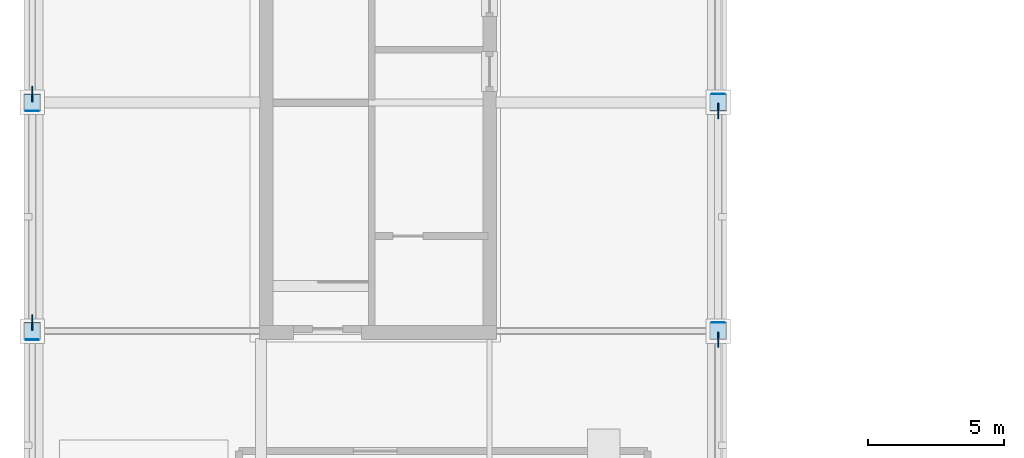
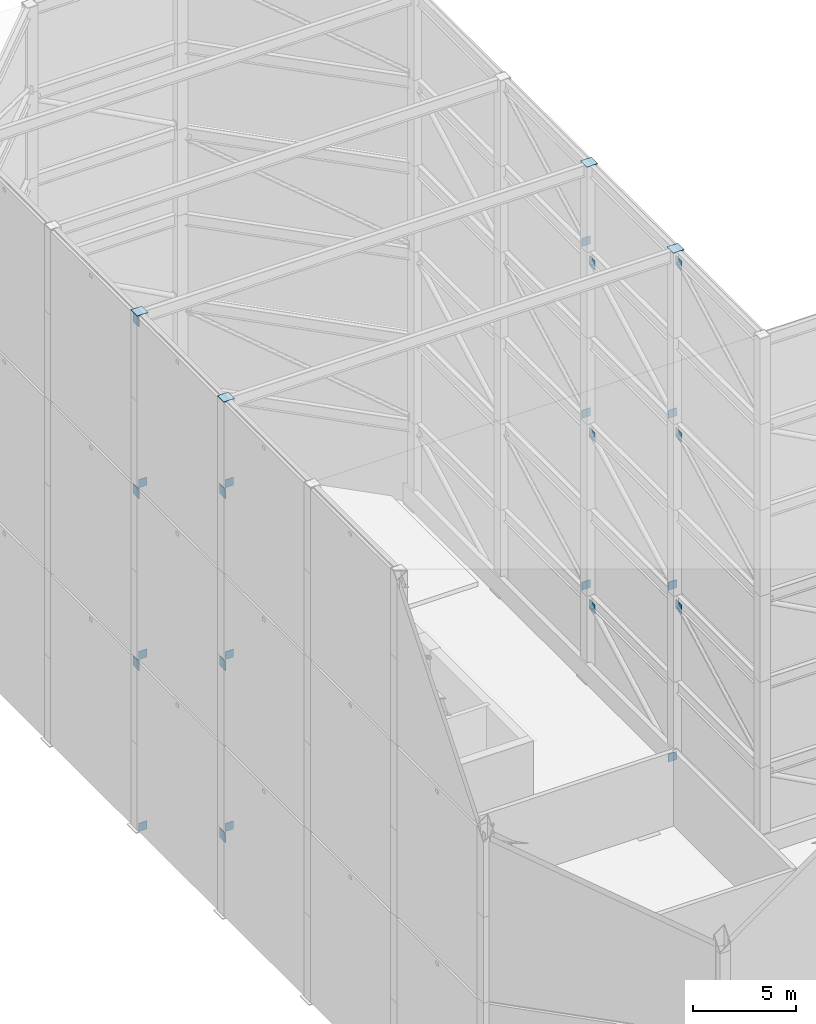
# One storey, part 12 of 17: 28 plates.
"""IFC4 building model written with IfcOpenShell, lengths in metres."""

from ifc_helpers import new_model, si_unit, direction, frame, origin, origin_2d, place, context, subcontext, project, spatial, rectangle, extrude, material, layer, layer_set, type_object, element, save


model = new_model("IFC4")

# Units and contexts
model_context = context("Model", 3, precision=1e-05, world=origin(), true_north=direction((0.0, 1.0)))
body_context = subcontext(model_context, "Body", "Model", "MODEL_VIEW")
ifc_project = project(units=[si_unit("LENGTHUNIT", "METRE"), si_unit("AREAUNIT", "SQUARE_METRE"), si_unit("VOLUMEUNIT", "CUBIC_METRE"), si_unit("PLANEANGLEUNIT", "RADIAN"), si_unit("MASSUNIT", "GRAM", prefix="KILO")], contexts=[model_context])

# Site, building, storey
site_placement = place(None, origin())
site = spatial("IfcSite", under=ifc_project, at=site_placement, CompositionType="ELEMENT")
building_placement = place(site_placement, origin())
building = spatial("IfcBuilding", under=site, at=building_placement, Name="Koriwani Terraces Tower", CompositionType="ELEMENT")
storey_placement = place(building_placement, frame((0.0, 0.0, 374.0)))
storey = spatial("IfcBuildingStorey", under=building, at=storey_placement, Name="RF", CompositionType="ELEMENT", Elevation=374.0)

# Plates
ifc_material = material(Name="Steel ASTM A572 Grade 50", Category="steel")
ifc_layer_1 = layer(ifc_material, 0.02490234375, Name="Steel ASTM A572 Grade 50")
ifc_layer_set_1 = layer_set([ifc_layer_1], Name="Steel ASTM A572 Grade 50")
plate_type_1 = type_object("IfcPlateType", Name="STEEL_CAP_PLATE_25", PredefinedType="USERDEFINED", material=ifc_layer_set_1)
for number, where, z_axis, x_axis, name in (
    (1, (33.60009765625, 42.0, 30.51513671875), (0.0, 0.0, 1.0), (1.0, 0.0, 0.0), "Crown Frame Column Cap Plate EP-13"),
    (2, (33.60009765625, 50.39990234375, 30.51513671875), (0.0, 0.0, 1.0), (1.0, 0.0, 0.0), "Crown Frame Column Cap Plate EP-14"),
    (3, (8.39990234375, 50.39990234375, 30.51513671875), (0.0, 0.0, 1.0), (1.0, 0.0, 0.0), "Crown Frame Column Cap Plate EP-21"),
    (4, (8.39990234375, 42.0, 30.51513671875), (0.0, 0.0, 1.0), (1.0, 0.0, 0.0), "Crown Frame Column Cap Plate EP-22"),
):
    element("IfcPlate", number, at=place(storey_placement, frame(where, z_axis=z_axis, x_axis=x_axis)), inside=storey, type_object=plate_type_1, Name=name, ObjectType="FLANGE_PLATE", PredefinedType="USERDEFINED", context=body_context, shape_type="SweptSolid", body=[
        extrude(rectangle(XDim=0.6201171875, YDim=0.6201171875, at=origin_2d()), origin(), (0.0, 0.0, 1.0), 0.02490234375),
    ])
for number, where, z_axis, x_axis, name in (
    (5, (33.60009765625, 42.315185546875, -0.02099609375), (0.0, 0.0, 1.0), (0.0, 1.0, 0.0), "Brace End Cap Plate CFBR-T1-S12"),
    (6, (8.39990234375, 50.084716796875, -0.02099609375), (0.0, 0.0, 1.0), (0.0, -1.0, 0.0), "Brace End Cap Plate CFBR-T1-S20"),
    (7, (33.60009765625, 50.715087890625, 5.06884765625), (0.0, 0.0, 1.0), (0.0, 1.0, 0.0), "Brace End Cap Plate CFBR-T2-S13"),
    (8, (8.39990234375, 41.684814453125, 5.06884765625), (0.0, 0.0, 1.0), (0.0, -1.0, 0.0), "Brace End Cap Plate CFBR-T2-S21"),
    (9, (33.60009765625, 42.315185546875, 10.158935546875), (0.0, 0.0, 1.0), (0.0, 1.0, 0.0), "Brace End Cap Plate CFBR-T3-S12"),
    (10, (8.39990234375, 50.084716796875, 10.158935546875), (0.0, 0.0, 1.0), (0.0, -1.0, 0.0), "Brace End Cap Plate CFBR-T3-S20"),
    (11, (33.60009765625, 50.715087890625, 15.2490234375), (0.0, 0.0, 1.0), (0.0, 1.0, 0.0), "Brace End Cap Plate CFBR-T4-S13"),
    (12, (8.39990234375, 41.684814453125, 15.2490234375), (0.0, 0.0, 1.0), (0.0, -1.0, 0.0), "Brace End Cap Plate CFBR-T4-S21"),
    (13, (33.60009765625, 42.315185546875, 20.3388671875), (0.0, 0.0, 1.0), (0.0, 1.0, 0.0), "Brace End Cap Plate CFBR-T5-S12"),
    (14, (8.39990234375, 50.084716796875, 20.3388671875), (0.0, 0.0, 1.0), (0.0, -1.0, 0.0), "Brace End Cap Plate CFBR-T5-S20"),
    (15, (33.60009765625, 50.715087890625, 25.428955078125), (0.0, 0.0, 1.0), (0.0, 1.0, 0.0), "Brace End Cap Plate CFBR-T6-S13"),
    (16, (8.39990234375, 41.684814453125, 25.428955078125), (0.0, 0.0, 1.0), (0.0, -1.0, 0.0), "Brace End Cap Plate CFBR-T6-S21"),
):
    element("IfcPlate", number, at=place(storey_placement, frame(where, z_axis=z_axis, x_axis=x_axis)), inside=storey, type_object=plate_type_1, Name=name, ObjectType="FLANGE_PLATE", PredefinedType="USERDEFINED", context=body_context, shape_type="SweptSolid", body=[
        extrude(rectangle(XDim=0.02490234375, YDim=0.47998046875, at=origin_2d()), origin(), (0.0, 0.0, 1.0), 0.47998046875),
    ])
ifc_layer_2 = layer(ifc_material, 0.0400390625, Name="Steel ASTM A572 Grade 50")
ifc_layer_set_2 = layer_set([ifc_layer_2], Name="Steel ASTM A572 Grade 50")
plate_type_2 = type_object("IfcPlateType", Name="STEEL_GUSSET_PLATE_40", PredefinedType="USERDEFINED", material=ifc_layer_set_2)
for number, where, z_axis, x_axis, name in (
    (17, (33.60009765625, 50.084716796875, 4.115966796875), (0.0, 0.0, 1.0), (0.0, 1.0, 0.0), "Brace Node Gusset Plate CFBR-T1-S12"),
    (18, (8.39990234375, 42.315185546875, 4.115966796875), (0.0, 0.0, 1.0), (0.0, -1.0, 0.0), "Brace Node Gusset Plate CFBR-T1-S20"),
    (19, (33.60009765625, 41.684814453125, 9.2060546875), (0.0, 0.0, 1.0), (0.0, 1.0, 0.0), "Brace Node Gusset Plate CFBR-T2-S11"),
    (20, (8.39990234375, 50.715087890625, 9.2060546875), (0.0, 0.0, 1.0), (0.0, -1.0, 0.0), "Brace Node Gusset Plate CFBR-T2-S19"),
    (21, (33.60009765625, 50.084716796875, 14.296142578125), (0.0, 0.0, 1.0), (0.0, 1.0, 0.0), "Brace Node Gusset Plate CFBR-T3-S12"),
    (22, (8.39990234375, 42.315185546875, 14.296142578125), (0.0, 0.0, 1.0), (0.0, -1.0, 0.0), "Brace Node Gusset Plate CFBR-T3-S20"),
    (23, (33.60009765625, 41.684814453125, 19.38818359375), (0.0, 0.0, 1.0), (0.0, 1.0, 0.0), "Brace Node Gusset Plate CFBR-T4-S11"),
    (24, (8.39990234375, 50.715087890625, 19.38818359375), (0.0, 0.0, 1.0), (0.0, -1.0, 0.0), "Brace Node Gusset Plate CFBR-T4-S19"),
    (25, (33.60009765625, 50.084716796875, 24.47802734375), (0.0, 0.0, 1.0), (0.0, 1.0, 0.0), "Brace Node Gusset Plate CFBR-T5-S12"),
    (26, (8.39990234375, 42.315185546875, 24.47802734375), (0.0, 0.0, 1.0), (0.0, -1.0, 0.0), "Brace Node Gusset Plate CFBR-T5-S20"),
    (27, (33.60009765625, 41.684814453125, 29.568115234375), (0.0, 0.0, 1.0), (0.0, 1.0, 0.0), "Brace Node Gusset Plate CFBR-T6-S11"),
    (28, (8.39990234375, 50.715087890625, 29.568115234375), (0.0, 0.0, 1.0), (0.0, -1.0, 0.0), "Brace Node Gusset Plate CFBR-T6-S19"),
):
    element("IfcPlate", number, at=place(storey_placement, frame(where, z_axis=z_axis, x_axis=x_axis)), inside=storey, type_object=plate_type_2, Name=name, ObjectType="GUSSET_PLATE", PredefinedType="USERDEFINED", context=body_context, shape_type="SweptSolid", body=[
        extrude(rectangle(XDim=0.56005859375, YDim=0.0400390625, at=origin_2d()), origin(), (0.0, 0.0, 1.0), 0.56005859375),
    ])

save(model, "model.ifc")
